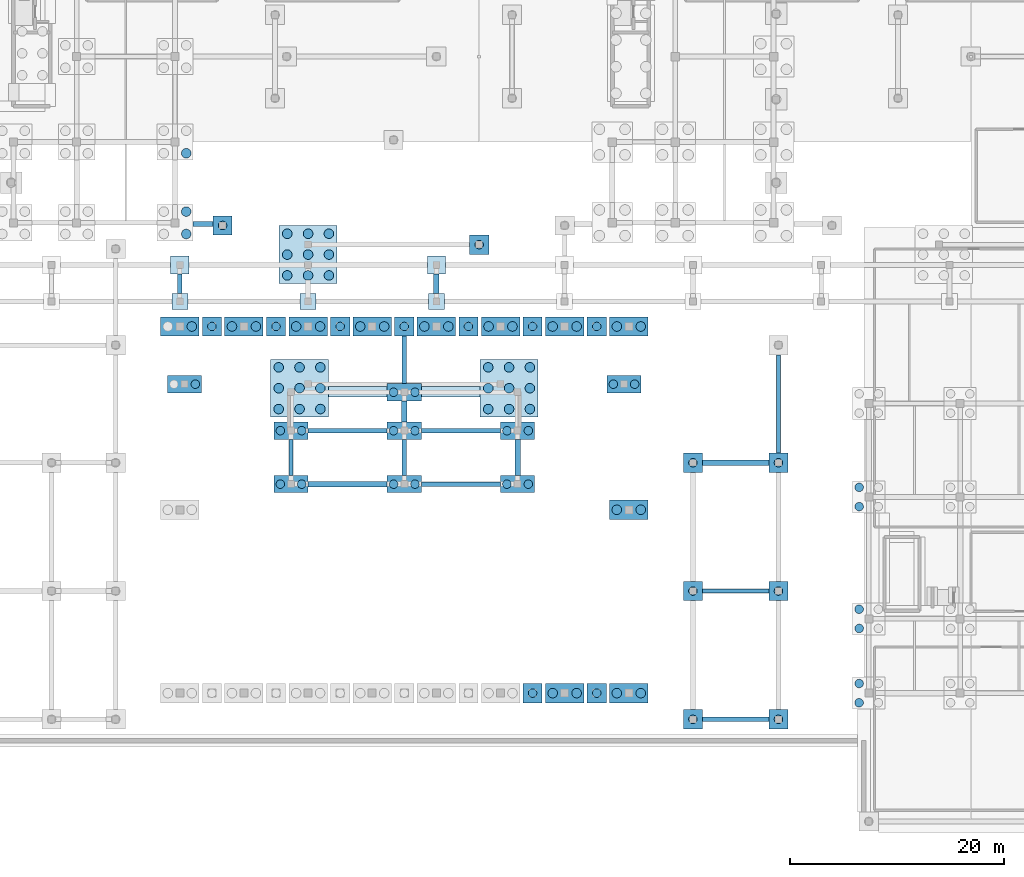
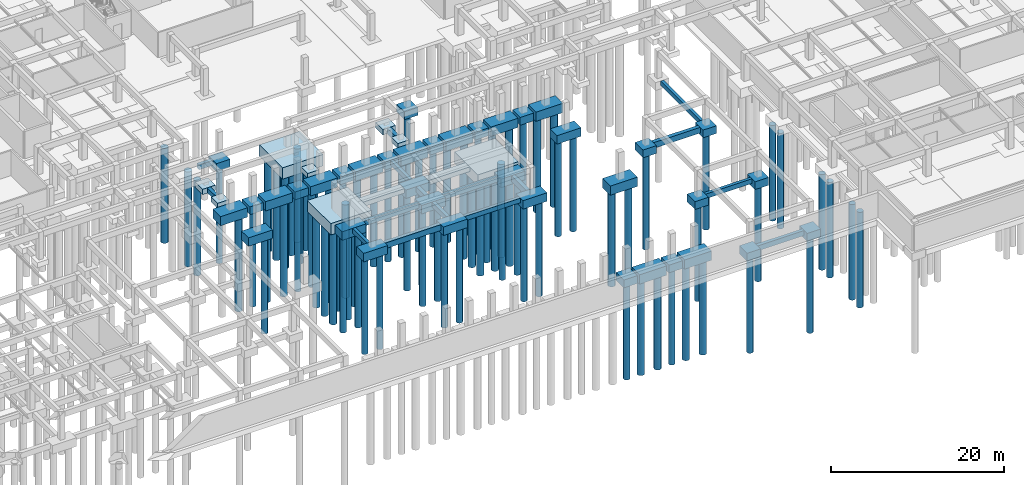
# One storey, part 3 of 35: 91 piles, 63 footings.
"""IFC4 building model written with IfcOpenShell, lengths in metres."""

from ifc_helpers import new_model, si_unit, direction, frame, origin, origin_2d, place, context, subcontext, project, spatial, rectangle, circle, extrude, material, material_profile, profile_set, type_object, element, save


model = new_model("IFC4")

# Units and contexts
model_context = context("Model", 3, precision=1e-05, world=origin(), true_north=direction((0.0, 1.0)))
body_context = subcontext(model_context, "Body", "Model", "MODEL_VIEW")
ifc_project = project(units=[si_unit("LENGTHUNIT", "METRE"), si_unit("AREAUNIT", "SQUARE_METRE"), si_unit("VOLUMEUNIT", "CUBIC_METRE"), si_unit("PLANEANGLEUNIT", "RADIAN"), si_unit("MASSUNIT", "GRAM", prefix="KILO")], contexts=[model_context])

# Site, building, storey
site_placement = place(None, origin())
site = spatial("IfcSite", under=ifc_project, at=site_placement, CompositionType="ELEMENT")
building_placement = place(site_placement, origin())
building = spatial("IfcBuilding", under=site, at=building_placement, Name="Keldmere Railside Commons", CompositionType="ELEMENT")
storey_placement = place(building_placement, frame((0.0, 0.0, -3.840087890625)))
storey = spatial("IfcBuildingStorey", under=building, at=storey_placement, Name="B1", CompositionType="ELEMENT", Elevation=-3.840087890625)

# Piles
ifc_material_1 = material(Name="Concrete H-30 (C30/37)", Category="concrete")
ifc_material_profile_1 = material_profile(ifc_material_1, circle(Radius=0.39990234375, at=origin_2d()), Name="PILE-D800")
ifc_profile_set_1 = profile_set([ifc_material_profile_1], Name="Concrete H-30 (C30/37)")
pile_type_1 = type_object("IfcPileType", Name="Bored Concrete Pile D800", PredefinedType="BORED", material=ifc_profile_set_1)
pile_1_placement = place(storey_placement, frame((65.449951171875, 41.35009765625, -1.099853515625), z_axis=(0.0, 0.0, -1.0), x_axis=(1.0, 0.0, 0.0)))
element("IfcPile", 1, at=pile_1_placement, inside=storey, type_object=pile_type_1, Name="BP-800 PILE-0327", PredefinedType="BORED", context=body_context, shape_type="SweptSolid", body=[
    extrude(circle(Radius=0.39990234375, at=origin_2d()), origin(), (0.0, 0.0, 1.0), 13.56005859375),
])
for number, where, z_axis, x_axis, name in (
    (2, (67.0, 46.75, -1.0), (0.0, 0.0, -1.0), (1.0, 0.0, 0.0), "BP-800 PILE-0341"),
    (3, (68.0, 56.199951171875, -1.0), (0.0, 0.0, -1.0), (1.0, 0.0, 0.0), "BP-800 PILE-0342"),
    (4, (73.0, 46.75, -1.0), (0.0, 0.0, -1.0), (1.0, 0.0, 0.0), "BP-800 PILE-0362"),
):
    element("IfcPile", number, at=place(storey_placement, frame(where, z_axis=z_axis, x_axis=x_axis)), inside=storey, type_object=pile_type_1, Name=name, PredefinedType="BORED", context=body_context, shape_type="SweptSolid", body=[
        extrude(circle(Radius=0.39990234375, at=origin_2d()), origin(), (0.0, 0.0, 1.0), 13.659912109375),
    ])
for number, where, z_axis, x_axis, name in (
    (5, (73.39990234375, 32.0, -1.099853515625), (0.0, 0.0, -1.0), (1.0, 0.0, 0.0), "BP-800 PILE-0364"),
    (6, (75.39990234375, 32.0, -1.099853515625), (0.0, 0.0, -1.0), (1.0, 0.0, 0.0), "BP-800 PILE-0365"),
    (7, (73.39990234375, 37.0, -1.099853515625), (0.0, 0.0, -1.0), (1.0, 0.0, 0.0), "BP-800 PILE-0366"),
    (8, (75.39990234375, 37.0, -1.099853515625), (0.0, 0.0, -1.0), (1.0, 0.0, 0.0), "BP-800 PILE-0367"),
):
    element("IfcPile", number, at=place(storey_placement, frame(where, z_axis=z_axis, x_axis=x_axis)), inside=storey, type_object=pile_type_1, Name=name, PredefinedType="BORED", context=body_context, shape_type="SweptSolid", body=[
        extrude(circle(Radius=0.39990234375, at=origin_2d()), origin(), (0.0, 0.0, 1.0), 13.56005859375),
    ])
pile_2_placement = place(storey_placement, frame((79.0, 46.75, -1.0), z_axis=(0.0, 0.0, -1.0), x_axis=(1.0, 0.0, 0.0)))
element("IfcPile", 9, at=pile_2_placement, inside=storey, type_object=pile_type_1, Name="BP-800 PILE-0391", PredefinedType="BORED", context=body_context, shape_type="SweptSolid", body=[
    extrude(circle(Radius=0.39990234375, at=origin_2d()), origin(), (0.0, 0.0, 1.0), 13.659912109375),
])
for number, where, z_axis, x_axis, name in (
    (10, (84.0, 32.0, -1.099853515625), (0.0, 0.0, -1.0), (1.0, 0.0, 0.0), "BP-800 PILE-0407"),
    (11, (86.0, 32.0, -1.099853515625), (0.0, 0.0, -1.0), (1.0, 0.0, 0.0), "BP-800 PILE-0408"),
    (12, (84.0, 37.0, -1.099853515625), (0.0, 0.0, -1.0), (1.0, 0.0, 0.0), "BP-800 PILE-0409"),
    (13, (86.0, 37.0, -1.099853515625), (0.0, 0.0, -1.0), (1.0, 0.0, 0.0), "BP-800 PILE-0410"),
    (14, (84.0, 40.60009765625, -1.099853515625), (0.0, 0.0, -1.0), (1.0, 0.0, 0.0), "BP-800 PILE-0411"),
    (15, (86.0, 40.60009765625, -1.099853515625), (0.0, 0.0, -1.0), (1.0, 0.0, 0.0), "BP-800 PILE-0412"),
):
    element("IfcPile", number, at=place(storey_placement, frame(where, z_axis=z_axis, x_axis=x_axis)), inside=storey, type_object=pile_type_1, Name=name, PredefinedType="BORED", context=body_context, shape_type="SweptSolid", body=[
        extrude(circle(Radius=0.39990234375, at=origin_2d()), origin(), (0.0, 0.0, 1.0), 13.56005859375),
    ])
for number, where, z_axis, x_axis, name in (
    (16, (85.0, 46.75, -1.0), (0.0, 0.0, -1.0), (1.0, 0.0, 0.0), "BP-800 PILE-0413"),
    (17, (91.0, 46.75, -1.0), (0.0, 0.0, -1.0), (1.0, 0.0, 0.0), "BP-800 PILE-0423"),
    (18, (92.0, 54.39990234375, -1.0), (0.0, 0.0, -1.0), (1.0, 0.0, 0.0), "BP-800 PILE-0424"),
):
    element("IfcPile", number, at=place(storey_placement, frame(where, z_axis=z_axis, x_axis=x_axis)), inside=storey, type_object=pile_type_1, Name=name, PredefinedType="BORED", context=body_context, shape_type="SweptSolid", body=[
        extrude(circle(Radius=0.39990234375, at=origin_2d()), origin(), (0.0, 0.0, 1.0), 13.659912109375),
    ])
for number, where, z_axis, x_axis, name in (
    (19, (94.60009765625, 32.0, -1.099853515625), (0.0, 0.0, -1.0), (1.0, 0.0, 0.0), "BP-800 PILE-0452"),
    (20, (96.60009765625, 32.0, -1.099853515625), (0.0, 0.0, -1.0), (1.0, 0.0, 0.0), "BP-800 PILE-0453"),
    (21, (94.60009765625, 37.0, -1.099853515625), (0.0, 0.0, -1.0), (1.0, 0.0, 0.0), "BP-800 PILE-0454"),
    (22, (96.60009765625, 37.0, -1.099853515625), (0.0, 0.0, -1.0), (1.0, 0.0, 0.0), "BP-800 PILE-0455"),
):
    element("IfcPile", number, at=place(storey_placement, frame(where, z_axis=z_axis, x_axis=x_axis)), inside=storey, type_object=pile_type_1, Name=name, PredefinedType="BORED", context=body_context, shape_type="SweptSolid", body=[
        extrude(circle(Radius=0.39990234375, at=origin_2d()), origin(), (0.0, 0.0, 1.0), 13.56005859375),
    ])
for number, where, z_axis, x_axis, name in (
    (23, (97.0, 12.449951171875, -1.0), (0.0, 0.0, -1.0), (1.0, 0.0, 0.0), "BP-800 PILE-0456"),
    (24, (97.0, 46.75, -1.0), (0.0, 0.0, -1.0), (1.0, 0.0, 0.0), "BP-800 PILE-0457"),
    (25, (103.0, 12.449951171875, -1.0), (0.0, 0.0, -1.0), (1.0, 0.0, 0.0), "BP-800 PILE-0475"),
    (26, (103.0, 46.75, -1.0), (0.0, 0.0, -1.0), (1.0, 0.0, 0.0), "BP-800 PILE-0476"),
):
    element("IfcPile", number, at=place(storey_placement, frame(where, z_axis=z_axis, x_axis=x_axis)), inside=storey, type_object=pile_type_1, Name=name, PredefinedType="BORED", context=body_context, shape_type="SweptSolid", body=[
        extrude(circle(Radius=0.39990234375, at=origin_2d()), origin(), (0.0, 0.0, 1.0), 13.659912109375),
    ])
for number, where, z_axis, x_axis, name in (
    (27, (104.550048828125, 41.35009765625, -1.099853515625), (0.0, 0.0, -1.0), (1.0, 0.0, 0.0), "BP-800 PILE-0493"),
    (28, (106.550048828125, 41.35009765625, -1.099853515625), (0.0, 0.0, -1.0), (1.0, 0.0, 0.0), "BP-800 PILE-0494"),
):
    element("IfcPile", number, at=place(storey_placement, frame(where, z_axis=z_axis, x_axis=x_axis)), inside=storey, type_object=pile_type_1, Name=name, PredefinedType="BORED", context=body_context, shape_type="SweptSolid", body=[
        extrude(circle(Radius=0.39990234375, at=origin_2d()), origin(), (0.0, 0.0, 1.0), 13.56005859375),
    ])
for number, where, z_axis, x_axis, name in (
    (29, (112.0, 10.0, -1.0), (0.0, 0.0, -1.0), (1.0, 0.0, 0.0), "BP-800 PILE-0529"),
    (30, (112.0, 22.0, -1.0), (0.0, 0.0, -1.0), (1.0, 0.0, 0.0), "BP-800 PILE-0530"),
    (31, (112.0, 34.0, -1.0), (0.0, 0.0, -1.0), (1.0, 0.0, 0.0), "BP-800 PILE-0531"),
    (32, (120.0, 10.0, -1.0), (0.0, 0.0, -1.0), (1.0, 0.0, 0.0), "BP-800 PILE-0573"),
    (33, (120.0, 22.0, -1.0), (0.0, 0.0, -1.0), (1.0, 0.0, 0.0), "BP-800 PILE-0574"),
    (34, (120.0, 34.0, -1.0), (0.0, 0.0, -1.0), (1.0, 0.0, 0.0), "BP-800 PILE-0575"),
):
    element("IfcPile", number, at=place(storey_placement, frame(where, z_axis=z_axis, x_axis=x_axis)), inside=storey, type_object=pile_type_1, Name=name, PredefinedType="BORED", context=body_context, shape_type="SweptSolid", body=[
        extrude(circle(Radius=0.39990234375, at=origin_2d()), origin(), (0.0, 0.0, 1.0), 13.659912109375),
    ])
for number, where, z_axis, x_axis, name in (
    (35, (127.550048828125, 11.550048828125, -1.199951171875), (0.0, 0.0, -1.0), (1.0, 0.0, 0.0), "BP-800 PILE-0591"),
    (36, (127.550048828125, 13.35009765625, -1.199951171875), (0.0, 0.0, -1.0), (1.0, 0.0, 0.0), "BP-800 PILE-0594"),
    (37, (127.550048828125, 18.5, -1.199951171875), (0.0, 0.0, -1.0), (1.0, 0.0, 0.0), "BP-800 PILE-0595"),
    (38, (127.550048828125, 20.300048828125, -1.199951171875), (0.0, 0.0, -1.0), (1.0, 0.0, 0.0), "BP-800 PILE-0598"),
    (39, (127.550048828125, 29.89990234375, -1.199951171875), (0.0, 0.0, -1.0), (1.0, 0.0, 0.0), "BP-800 PILE-0599"),
    (40, (127.550048828125, 31.699951171875, -1.199951171875), (0.0, 0.0, -1.0), (1.0, 0.0, 0.0), "BP-800 PILE-0602"),
):
    element("IfcPile", number, at=place(storey_placement, frame(where, z_axis=z_axis, x_axis=x_axis)), inside=storey, type_object=pile_type_1, Name=name, PredefinedType="BORED", context=body_context, shape_type="SweptSolid", body=[
        extrude(circle(Radius=0.39990234375, at=origin_2d()), origin(), (0.0, 0.0, 1.0), 13.4599609375),
    ])
ifc_material_profile_2 = material_profile(ifc_material_1, circle(Radius=0.449951171875, at=origin_2d()), Name="PILE-D900")
ifc_profile_set_2 = profile_set([ifc_material_profile_2], Name="Concrete H-30 (C30/37)")
pile_type_2 = type_object("IfcPileType", Name="Bored Concrete Pile D900", PredefinedType="BORED", material=ifc_profile_set_2)
for number, where, z_axis, x_axis, name in (
    (41, (64.60009765625, 55.39990234375, -1.2998046875), (0.0, 0.0, -1.0), (1.0, 0.0, 0.0), "BP-900 PILE-0297"),
    (42, (64.60009765625, 57.5, -1.2998046875), (0.0, 0.0, -1.0), (1.0, 0.0, 0.0), "BP-900 PILE-0298"),
    (43, (64.60009765625, 62.949951171875, -1.2998046875), (0.0, 0.0, -1.0), (1.0, 0.0, 0.0), "BP-900 PILE-0301"),
):
    element("IfcPile", number, at=place(storey_placement, frame(where, z_axis=z_axis, x_axis=x_axis)), inside=storey, type_object=pile_type_2, Name=name, PredefinedType="BORED", context=body_context, shape_type="SweptSolid", body=[
        extrude(circle(Radius=0.449951171875, at=origin_2d()), origin(), (0.0, 0.0, 1.0), 13.360107421875),
    ])
for number, where, z_axis, x_axis, name in (
    (44, (65.1201171875, 46.75, -1.199951171875), (0.0, 0.0, -1.0), (1.0, 0.0, 0.0), "BP-900 PILE-0325"),
    (45, (68.8798828125, 46.75, -1.199951171875), (0.0, 0.0, -1.0), (1.0, 0.0, 0.0), "BP-900 PILE-0345"),
    (46, (71.1201171875, 46.75, -1.199951171875), (0.0, 0.0, -1.0), (1.0, 0.0, 0.0), "BP-900 PILE-0346"),
):
    element("IfcPile", number, at=place(storey_placement, frame(where, z_axis=z_axis, x_axis=x_axis)), inside=storey, type_object=pile_type_2, Name=name, PredefinedType="BORED", context=body_context, shape_type="SweptSolid", body=[
        extrude(circle(Radius=0.449951171875, at=origin_2d()), origin(), (0.0, 0.0, 1.0), 13.4599609375),
    ])
for number, where, z_axis, x_axis, name in (
    (47, (73.25, 39.02490234375, -1.5), (0.0, 0.0, -1.0), (1.0, 0.0, 0.0), "BP-900 PILE-0368"),
    (48, (73.25, 40.97509765625, -1.5), (0.0, 0.0, -1.0), (1.0, 0.0, 0.0), "BP-900 PILE-0369"),
    (49, (73.25, 42.925048828125, -1.5), (0.0, 0.0, -1.0), (1.0, 0.0, 0.0), "BP-900 PILE-0370"),
    (50, (75.199951171875, 39.02490234375, -1.5), (0.0, 0.0, -1.0), (1.0, 0.0, 0.0), "BP-900 PILE-0371"),
    (51, (75.199951171875, 40.97509765625, -1.5), (0.0, 0.0, -1.0), (1.0, 0.0, 0.0), "BP-900 PILE-0372"),
    (52, (75.199951171875, 42.925048828125, -1.5), (0.0, 0.0, -1.0), (1.0, 0.0, 0.0), "BP-900 PILE-0373"),
    (53, (77.14990234375, 39.02490234375, -1.5), (0.0, 0.0, -1.0), (1.0, 0.0, 0.0), "BP-900 PILE-0374"),
    (54, (77.14990234375, 40.97509765625, -1.5), (0.0, 0.0, -1.0), (1.0, 0.0, 0.0), "BP-900 PILE-0375"),
    (55, (77.14990234375, 42.925048828125, -1.5), (0.0, 0.0, -1.0), (1.0, 0.0, 0.0), "BP-900 PILE-0376"),
):
    element("IfcPile", number, at=place(storey_placement, frame(where, z_axis=z_axis, x_axis=x_axis)), inside=storey, type_object=pile_type_2, Name=name, PredefinedType="BORED", context=body_context, shape_type="SweptSolid", body=[
        extrude(circle(Radius=0.449951171875, at=origin_2d()), origin(), (0.0, 0.0, 1.0), 13.159912109375),
    ])
for number, where, z_axis, x_axis, name in (
    (56, (74.8798828125, 46.75, -1.199951171875), (0.0, 0.0, -1.0), (1.0, 0.0, 0.0), "BP-900 PILE-0379"),
    (57, (77.1201171875, 46.75, -1.199951171875), (0.0, 0.0, -1.0), (1.0, 0.0, 0.0), "BP-900 PILE-0380"),
):
    element("IfcPile", number, at=place(storey_placement, frame(where, z_axis=z_axis, x_axis=x_axis)), inside=storey, type_object=pile_type_2, Name=name, PredefinedType="BORED", context=body_context, shape_type="SweptSolid", body=[
        extrude(circle(Radius=0.449951171875, at=origin_2d()), origin(), (0.0, 0.0, 1.0), 13.4599609375),
    ])
for number, where, z_axis, x_axis, name in (
    (58, (74.050048828125, 51.52490234375, -1.5), (0.0, 0.0, -1.0), (1.0, 0.0, 0.0), "BP-900 PILE-0381"),
    (59, (74.050048828125, 53.47509765625, -1.5), (0.0, 0.0, -1.0), (1.0, 0.0, 0.0), "BP-900 PILE-0382"),
    (60, (74.050048828125, 55.425048828125, -1.5), (0.0, 0.0, -1.0), (1.0, 0.0, 0.0), "BP-900 PILE-0383"),
    (61, (76.0, 51.52490234375, -1.5), (0.0, 0.0, -1.0), (1.0, 0.0, 0.0), "BP-900 PILE-0384"),
    (62, (76.0, 53.47509765625, -1.5), (0.0, 0.0, -1.0), (1.0, 0.0, 0.0), "BP-900 PILE-0385"),
    (63, (76.0, 55.425048828125, -1.5), (0.0, 0.0, -1.0), (1.0, 0.0, 0.0), "BP-900 PILE-0386"),
    (64, (77.949951171875, 51.52490234375, -1.5), (0.0, 0.0, -1.0), (1.0, 0.0, 0.0), "BP-900 PILE-0387"),
    (65, (77.949951171875, 53.47509765625, -1.5), (0.0, 0.0, -1.0), (1.0, 0.0, 0.0), "BP-900 PILE-0388"),
    (66, (77.949951171875, 55.425048828125, -1.5), (0.0, 0.0, -1.0), (1.0, 0.0, 0.0), "BP-900 PILE-0389"),
):
    element("IfcPile", number, at=place(storey_placement, frame(where, z_axis=z_axis, x_axis=x_axis)), inside=storey, type_object=pile_type_2, Name=name, PredefinedType="BORED", context=body_context, shape_type="SweptSolid", body=[
        extrude(circle(Radius=0.449951171875, at=origin_2d()), origin(), (0.0, 0.0, 1.0), 13.159912109375),
    ])
for number, where, z_axis, x_axis, name in (
    (67, (80.8798828125, 46.75, -1.199951171875), (0.0, 0.0, -1.0), (1.0, 0.0, 0.0), "BP-900 PILE-0402"),
    (68, (83.1201171875, 46.75, -1.199951171875), (0.0, 0.0, -1.0), (1.0, 0.0, 0.0), "BP-900 PILE-0403"),
    (69, (86.8798828125, 46.75, -1.199951171875), (0.0, 0.0, -1.0), (1.0, 0.0, 0.0), "BP-900 PILE-0416"),
    (70, (89.1201171875, 46.75, -1.199951171875), (0.0, 0.0, -1.0), (1.0, 0.0, 0.0), "BP-900 PILE-0417"),
):
    element("IfcPile", number, at=place(storey_placement, frame(where, z_axis=z_axis, x_axis=x_axis)), inside=storey, type_object=pile_type_2, Name=name, PredefinedType="BORED", context=body_context, shape_type="SweptSolid", body=[
        extrude(circle(Radius=0.449951171875, at=origin_2d()), origin(), (0.0, 0.0, 1.0), 13.4599609375),
    ])
for number, where, z_axis, x_axis, name in (
    (71, (92.85009765625, 39.02490234375, -1.5), (0.0, 0.0, -1.0), (1.0, 0.0, 0.0), "BP-900 PILE-0439"),
    (72, (92.85009765625, 40.97509765625, -1.5), (0.0, 0.0, -1.0), (1.0, 0.0, 0.0), "BP-900 PILE-0440"),
    (73, (92.85009765625, 42.925048828125, -1.5), (0.0, 0.0, -1.0), (1.0, 0.0, 0.0), "BP-900 PILE-0441"),
    (74, (94.800048828125, 39.02490234375, -1.5), (0.0, 0.0, -1.0), (1.0, 0.0, 0.0), "BP-900 PILE-0442"),
    (75, (94.800048828125, 40.97509765625, -1.5), (0.0, 0.0, -1.0), (1.0, 0.0, 0.0), "BP-900 PILE-0443"),
    (76, (94.800048828125, 42.925048828125, -1.5), (0.0, 0.0, -1.0), (1.0, 0.0, 0.0), "BP-900 PILE-0444"),
    (77, (96.75, 39.02490234375, -1.5), (0.0, 0.0, -1.0), (1.0, 0.0, 0.0), "BP-900 PILE-0445"),
    (78, (96.75, 40.97509765625, -1.5), (0.0, 0.0, -1.0), (1.0, 0.0, 0.0), "BP-900 PILE-0446"),
    (79, (96.75, 42.925048828125, -1.5), (0.0, 0.0, -1.0), (1.0, 0.0, 0.0), "BP-900 PILE-0447"),
):
    element("IfcPile", number, at=place(storey_placement, frame(where, z_axis=z_axis, x_axis=x_axis)), inside=storey, type_object=pile_type_2, Name=name, PredefinedType="BORED", context=body_context, shape_type="SweptSolid", body=[
        extrude(circle(Radius=0.449951171875, at=origin_2d()), origin(), (0.0, 0.0, 1.0), 13.159912109375),
    ])
for number, where, z_axis, x_axis, name in (
    (80, (92.8798828125, 46.75, -1.199951171875), (0.0, 0.0, -1.0), (1.0, 0.0, 0.0), "BP-900 PILE-0448"),
    (81, (95.1201171875, 46.75, -1.199951171875), (0.0, 0.0, -1.0), (1.0, 0.0, 0.0), "BP-900 PILE-0449"),
    (82, (98.8798828125, 12.449951171875, -1.199951171875), (0.0, 0.0, -1.0), (1.0, 0.0, 0.0), "BP-900 PILE-0458"),
    (83, (101.1201171875, 12.449951171875, -1.199951171875), (0.0, 0.0, -1.0), (1.0, 0.0, 0.0), "BP-900 PILE-0459"),
    (84, (98.8798828125, 46.75, -1.199951171875), (0.0, 0.0, -1.0), (1.0, 0.0, 0.0), "BP-900 PILE-0460"),
    (85, (101.1201171875, 46.75, -1.199951171875), (0.0, 0.0, -1.0), (1.0, 0.0, 0.0), "BP-900 PILE-0461"),
    (86, (104.8798828125, 12.449951171875, -1.199951171875), (0.0, 0.0, -1.0), (1.0, 0.0, 0.0), "BP-900 PILE-0495"),
    (87, (107.1201171875, 12.449951171875, -1.199951171875), (0.0, 0.0, -1.0), (1.0, 0.0, 0.0), "BP-900 PILE-0496"),
    (88, (104.8798828125, 29.60009765625, -1.199951171875), (0.0, 0.0, -1.0), (1.0, 0.0, 0.0), "BP-900 PILE-0497"),
    (89, (107.1201171875, 29.60009765625, -1.199951171875), (0.0, 0.0, -1.0), (1.0, 0.0, 0.0), "BP-900 PILE-0498"),
    (90, (104.8798828125, 46.75, -1.199951171875), (0.0, 0.0, -1.0), (1.0, 0.0, 0.0), "BP-900 PILE-0499"),
    (91, (107.1201171875, 46.75, -1.199951171875), (0.0, 0.0, -1.0), (1.0, 0.0, 0.0), "BP-900 PILE-0500"),
):
    element("IfcPile", number, at=place(storey_placement, frame(where, z_axis=z_axis, x_axis=x_axis)), inside=storey, type_object=pile_type_2, Name=name, PredefinedType="BORED", context=body_context, shape_type="SweptSolid", body=[
        extrude(circle(Radius=0.449951171875, at=origin_2d()), origin(), (0.0, 0.0, 1.0), 13.4599609375),
    ])

# Footings
ifc_material_2 = material(Name="Concrete H-40 (C40/50)", Category="concrete")
footing_type_1 = type_object("IfcFootingType", Name="Canopy Pad Footing 1700x1700x750", PredefinedType="PAD_FOOTING", material=ifc_material_2)
for number, where, z_axis, x_axis, name in (
    (92, (64.0, 52.5, -0.75), (0.0, 0.0, 1.0), (1.0, 0.0, 0.0), "PF-02 FTG-132"),
    (93, (88.0, 52.5, -0.75), (0.0, 0.0, 1.0), (1.0, 0.0, 0.0), "PF-02 FTG-173"),
):
    element("IfcFooting", number, at=place(storey_placement, frame(where, z_axis=z_axis, x_axis=x_axis)), inside=storey, type_object=footing_type_1, Name=name, PredefinedType="PAD_FOOTING", context=body_context, shape_type="SweptSolid", body=[
        extrude(rectangle(XDim=1.699951171875, YDim=1.699951171875, at=origin_2d()), origin(), (0.0, 0.0, 1.0), 0.75),
    ])
footing_type_2 = type_object("IfcFootingType", Name="Colonnade Pad Footing 1500x1500x700", PredefinedType="PAD_FOOTING", material=ifc_material_2)
for number, where, z_axis, x_axis, name in (
    (94, (64.0, 49.10009765625, -0.69970703125), (0.0, 0.0, 1.0), (1.0, 0.0, 0.0), "PF-01 FTG-131"),
    (95, (76.0, 49.10009765625, -0.69970703125), (0.0, 0.0, 1.0), (1.0, 0.0, 0.0), "PF-01 FTG-155"),
    (96, (88.0, 49.10009765625, -0.69970703125), (0.0, 0.0, 1.0), (1.0, 0.0, 0.0), "PF-01 FTG-172"),
):
    element("IfcFooting", number, at=place(storey_placement, frame(where, z_axis=z_axis, x_axis=x_axis)), inside=storey, type_object=footing_type_2, Name=name, PredefinedType="PAD_FOOTING", context=body_context, shape_type="SweptSolid", body=[
        extrude(rectangle(XDim=1.5, YDim=1.5, at=origin_2d()), origin(), (0.0, 0.0, 1.0), 0.699951171875),
    ])
footing_type_3 = type_object("IfcFootingType", Name="Nine-Pile Core Cap 5400x5400x1600", PredefinedType="PILE_CAP", material=ifc_material_2)
for number, where, z_axis, x_axis, name in (
    (97, (75.199951171875, 40.97509765625, -1.599853515625), (0.0, 0.0, 1.0), (1.0, 0.0, 0.0), "PC-08 FTG-152"),
    (98, (76.0, 53.47509765625, -1.599853515625), (0.0, 0.0, 1.0), (1.0, 0.0, 0.0), "PC-08 FTG-156"),
    (99, (94.800048828125, 40.97509765625, -1.599853515625), (0.0, 0.0, 1.0), (1.0, 0.0, 0.0), "PC-08 FTG-185"),
):
    element("IfcFooting", number, at=place(storey_placement, frame(where, z_axis=z_axis, x_axis=x_axis)), inside=storey, type_object=footing_type_3, Name=name, PredefinedType="PILE_CAP", context=body_context, shape_type="SweptSolid", body=[
        extrude(rectangle(XDim=5.39990234375, YDim=5.39990234375, at=origin_2d()), origin(), (0.0, 0.0, 1.0), 1.60009765625),
    ])
footing_type_4 = type_object("IfcFootingType", Name="Perimeter Ground Tie Beam 400x650", PredefinedType="FOOTING_BEAM", material=ifc_material_2)
footing_1_placement = place(storey_placement, frame((74.39990234375, 34.5, -0.64990234375), z_axis=(0.0, 0.0, 1.0), x_axis=(0.0, 1.0, 0.0)))
element("IfcFooting", 100, at=footing_1_placement, inside=storey, type_object=footing_type_4, Name="GB-03 GB-137", PredefinedType="FOOTING_BEAM", context=body_context, shape_type="SweptSolid", body=[
    extrude(rectangle(XDim=3.39990234375, YDim=0.39990234375, at=origin_2d()), origin(), (0.0, 0.0, 1.0), 0.64990234375),
])
footing_2_placement = place(storey_placement, frame((90.300048828125, 32.0, -0.64990234375), z_axis=(0.0, 0.0, 1.0), x_axis=(1.0, 0.0, 0.0)))
element("IfcFooting", 101, at=footing_2_placement, inside=storey, type_object=footing_type_4, Name="GB-03 GB-143", PredefinedType="FOOTING_BEAM", context=body_context, shape_type="SweptSolid", body=[
    extrude(rectangle(XDim=7.39990234375, YDim=0.39990234375, at=origin_2d()), origin(), (0.0, 0.0, 1.0), 0.64990234375),
])
footing_3_placement = place(storey_placement, frame((85.0, 43.625, -0.64990234375), z_axis=(0.0, 0.0, 1.0), x_axis=(0.0, 1.0, 0.0)))
element("IfcFooting", 102, at=footing_3_placement, inside=storey, type_object=footing_type_4, Name="GB-03 GB-146", PredefinedType="FOOTING_BEAM", context=body_context, shape_type="SweptSolid", body=[
    extrude(rectangle(XDim=4.449951171875, YDim=0.39990234375, at=origin_2d()), origin(), (0.0, 0.0, 1.0), 0.64990234375),
])
footing_4_placement = place(storey_placement, frame((116.0, 22.0, -0.64990234375), z_axis=(0.0, 0.0, 1.0), x_axis=(1.0, 0.0, 0.0)))
element("IfcFooting", 103, at=footing_4_placement, inside=storey, type_object=footing_type_4, Name="GB-03 GB-182", PredefinedType="FOOTING_BEAM", context=body_context, shape_type="SweptSolid", body=[
    extrude(rectangle(XDim=6.199951171875, YDim=0.39990234375, at=origin_2d()), origin(), (0.0, 0.0, 1.0), 0.64990234375),
])
footing_5_placement = place(storey_placement, frame((120.0, 39.5, -0.64990234375), z_axis=(0.0, 0.0, 1.0), x_axis=(0.0, 1.0, 0.0)))
element("IfcFooting", 104, at=footing_5_placement, inside=storey, type_object=footing_type_4, Name="GB-03 GB-191", PredefinedType="FOOTING_BEAM", context=body_context, shape_type="SweptSolid", body=[
    extrude(rectangle(XDim=9.199951171875, YDim=0.39990234375, at=origin_2d()), origin(), (0.0, 0.0, 1.0), 0.64990234375),
])
footing_type_5 = type_object("IfcFootingType", Name="Primary Ground Tie Beam 500x800", PredefinedType="FOOTING_BEAM", material=ifc_material_2)
footing_6_placement = place(storey_placement, frame((79.699951171875, 32.0, -0.7998046875), z_axis=(0.0, 0.0, 1.0), x_axis=(1.0, 0.0, 0.0)))
element("IfcFooting", 105, at=footing_6_placement, inside=storey, type_object=footing_type_5, Name="GB-01 GB-138", PredefinedType="FOOTING_BEAM", context=body_context, shape_type="SweptSolid", body=[
    extrude(rectangle(XDim=7.39990234375, YDim=0.5, at=origin_2d()), origin(), (0.0, 0.0, 1.0), 0.800048828125),
])
footing_7_placement = place(storey_placement, frame((85.0, 38.800048828125, -0.7998046875), z_axis=(0.0, 0.0, 1.0), x_axis=(0.0, 1.0, 0.0)))
element("IfcFooting", 106, at=footing_7_placement, inside=storey, type_object=footing_type_5, Name="GB-01 GB-144", PredefinedType="FOOTING_BEAM", context=body_context, shape_type="SweptSolid", body=[
    extrude(rectangle(XDim=2.0, YDim=0.5, at=origin_2d()), origin(), (0.0, 0.0, 1.0), 0.800048828125),
])
footing_8_placement = place(storey_placement, frame((88.0, 50.75, -0.7998046875), z_axis=(0.0, 0.0, 1.0), x_axis=(0.0, 1.0, 0.0)))
element("IfcFooting", 107, at=footing_8_placement, inside=storey, type_object=footing_type_5, Name="GB-01 GB-147", PredefinedType="FOOTING_BEAM", context=body_context, shape_type="SweptSolid", body=[
    extrude(rectangle(XDim=1.800048828125, YDim=0.5, at=origin_2d()), origin(), (0.0, 0.0, 1.0), 0.800048828125),
])
footing_9_placement = place(storey_placement, frame((95.60009765625, 34.5, -0.7998046875), z_axis=(0.0, 0.0, 1.0), x_axis=(0.0, 1.0, 0.0)))
element("IfcFooting", 108, at=footing_9_placement, inside=storey, type_object=footing_type_5, Name="GB-01 GB-156", PredefinedType="FOOTING_BEAM", context=body_context, shape_type="SweptSolid", body=[
    extrude(rectangle(XDim=3.39990234375, YDim=0.5, at=origin_2d()), origin(), (0.0, 0.0, 1.0), 0.800048828125),
])
footing_10_placement = place(storey_placement, frame((116.0, 34.0, -0.7998046875), z_axis=(0.0, 0.0, 1.0), x_axis=(1.0, 0.0, 0.0)))
element("IfcFooting", 109, at=footing_10_placement, inside=storey, type_object=footing_type_5, Name="GB-01 GB-183", PredefinedType="FOOTING_BEAM", context=body_context, shape_type="SweptSolid", body=[
    extrude(rectangle(XDim=6.199951171875, YDim=0.5, at=origin_2d()), origin(), (0.0, 0.0, 1.0), 0.800048828125),
])
footing_type_6 = type_object("IfcFootingType", Name="Ramp Wall Strip Footing 1000x650", PredefinedType="STRIP_FOOTING", material=ifc_material_2)
for number, where, z_axis, x_axis, name in (
    (110, (80.64990234375, 40.64990234375, -0.64990234375), (0.0, 0.0, 1.0), (1.0, 0.0, 0.0), "SF-02 WSF-113"),
    (111, (89.35009765625, 40.64990234375, -0.64990234375), (0.0, 0.0, 1.0), (1.0, 0.0, 0.0), "SF-02 WSF-114"),
):
    element("IfcFooting", number, at=place(storey_placement, frame(where, z_axis=z_axis, x_axis=x_axis)), inside=storey, type_object=footing_type_6, Name=name, PredefinedType="STRIP_FOOTING", context=body_context, shape_type="SweptSolid", body=[
        extrude(rectangle(XDim=5.5, YDim=1.0, at=origin_2d()), origin(), (0.0, 0.0, 1.0), 0.64990234375),
    ])
footing_type_7 = type_object("IfcFootingType", Name="Secondary Ground Tie Beam 450x700", PredefinedType="FOOTING_BEAM", material=ifc_material_2)
footing_11_placement = place(storey_placement, frame((66.175048828125, 56.324951171875, -0.69970703125), z_axis=(0.0, 0.0, 1.0), x_axis=(1.0, 0.0, 0.0)))
element("IfcFooting", 112, at=footing_11_placement, inside=storey, type_object=footing_type_7, Name="GB-02 GB-121", PredefinedType="FOOTING_BEAM", context=body_context, shape_type="SweptSolid", body=[
    extrude(rectangle(XDim=1.85009765625, YDim=0.449951171875, at=origin_2d()), origin(), (0.0, 0.0, 1.0), 0.699951171875),
])
footing_12_placement = place(storey_placement, frame((64.0, 50.75, -0.69970703125), z_axis=(0.0, 0.0, 1.0), x_axis=(0.0, 1.0, 0.0)))
element("IfcFooting", 113, at=footing_12_placement, inside=storey, type_object=footing_type_7, Name="GB-02 GB-127", PredefinedType="FOOTING_BEAM", context=body_context, shape_type="SweptSolid", body=[
    extrude(rectangle(XDim=1.800048828125, YDim=0.449951171875, at=origin_2d()), origin(), (0.0, 0.0, 1.0), 0.699951171875),
])
footing_13_placement = place(storey_placement, frame((79.699951171875, 37.0, -0.69970703125), z_axis=(0.0, 0.0, 1.0), x_axis=(1.0, 0.0, 0.0)))
element("IfcFooting", 114, at=footing_13_placement, inside=storey, type_object=footing_type_7, Name="GB-02 GB-139", PredefinedType="FOOTING_BEAM", context=body_context, shape_type="SweptSolid", body=[
    extrude(rectangle(XDim=7.39990234375, YDim=0.449951171875, at=origin_2d()), origin(), (0.0, 0.0, 1.0), 0.699951171875),
])
footing_14_placement = place(storey_placement, frame((85.0, 34.5, -0.69970703125), z_axis=(0.0, 0.0, 1.0), x_axis=(0.0, 1.0, 0.0)))
element("IfcFooting", 115, at=footing_14_placement, inside=storey, type_object=footing_type_7, Name="GB-02 GB-142", PredefinedType="FOOTING_BEAM", context=body_context, shape_type="SweptSolid", body=[
    extrude(rectangle(XDim=3.39990234375, YDim=0.449951171875, at=origin_2d()), origin(), (0.0, 0.0, 1.0), 0.699951171875),
])
footing_15_placement = place(storey_placement, frame((90.300048828125, 37.0, -0.69970703125), z_axis=(0.0, 0.0, 1.0), x_axis=(1.0, 0.0, 0.0)))
element("IfcFooting", 116, at=footing_15_placement, inside=storey, type_object=footing_type_7, Name="GB-02 GB-145", PredefinedType="FOOTING_BEAM", context=body_context, shape_type="SweptSolid", body=[
    extrude(rectangle(XDim=7.39990234375, YDim=0.449951171875, at=origin_2d()), origin(), (0.0, 0.0, 1.0), 0.699951171875),
])
footing_16_placement = place(storey_placement, frame((116.0, 10.0, -0.69970703125), z_axis=(0.0, 0.0, 1.0), x_axis=(1.0, 0.0, 0.0)))
element("IfcFooting", 117, at=footing_16_placement, inside=storey, type_object=footing_type_7, Name="GB-02 GB-181", PredefinedType="FOOTING_BEAM", context=body_context, shape_type="SweptSolid", body=[
    extrude(rectangle(XDim=6.199951171875, YDim=0.449951171875, at=origin_2d()), origin(), (0.0, 0.0, 1.0), 0.699951171875),
])
footing_type_8 = type_object("IfcFootingType", Name="Single-Pile Cap 1800x1800x1100", PredefinedType="PILE_CAP", material=ifc_material_2)
for number, where, z_axis, x_axis, name in (
    (118, (67.0, 46.75, -1.099853515625), (0.0, 0.0, 1.0), (1.0, 0.0, 0.0), "PC-01 FTG-138"),
    (119, (68.0, 56.199951171875, -1.099853515625), (0.0, 0.0, 1.0), (1.0, 0.0, 0.0), "PC-01 FTG-139"),
    (120, (73.0, 46.75, -1.099853515625), (0.0, 0.0, 1.0), (1.0, 0.0, 0.0), "PC-01 FTG-148"),
    (121, (79.0, 46.75, -1.099853515625), (0.0, 0.0, 1.0), (1.0, 0.0, 0.0), "PC-01 FTG-158"),
    (122, (85.0, 46.75, -1.099853515625), (0.0, 0.0, 1.0), (1.0, 0.0, 0.0), "PC-01 FTG-169"),
    (123, (91.0, 46.75, -1.099853515625), (0.0, 0.0, 1.0), (1.0, 0.0, 0.0), "PC-01 FTG-179"),
    (124, (92.0, 54.39990234375, -1.099853515625), (0.0, 0.0, 1.0), (1.0, 0.0, 0.0), "PC-01 FTG-180"),
    (125, (97.0, 12.449951171875, -1.099853515625), (0.0, 0.0, 1.0), (1.0, 0.0, 0.0), "PC-01 FTG-191"),
    (126, (97.0, 46.75, -1.099853515625), (0.0, 0.0, 1.0), (1.0, 0.0, 0.0), "PC-01 FTG-192"),
    (127, (103.0, 12.449951171875, -1.099853515625), (0.0, 0.0, 1.0), (1.0, 0.0, 0.0), "PC-01 FTG-201"),
    (128, (103.0, 46.75, -1.099853515625), (0.0, 0.0, 1.0), (1.0, 0.0, 0.0), "PC-01 FTG-202"),
    (129, (112.0, 10.0, -1.099853515625), (0.0, 0.0, 1.0), (1.0, 0.0, 0.0), "PC-01 FTG-218"),
    (130, (112.0, 22.0, -1.099853515625), (0.0, 0.0, 1.0), (1.0, 0.0, 0.0), "PC-01 FTG-219"),
    (131, (112.0, 34.0, -1.099853515625), (0.0, 0.0, 1.0), (1.0, 0.0, 0.0), "PC-01 FTG-220"),
    (132, (120.0, 10.0, -1.099853515625), (0.0, 0.0, 1.0), (1.0, 0.0, 0.0), "PC-01 FTG-237"),
    (133, (120.0, 22.0, -1.099853515625), (0.0, 0.0, 1.0), (1.0, 0.0, 0.0), "PC-01 FTG-238"),
    (134, (120.0, 34.0, -1.099853515625), (0.0, 0.0, 1.0), (1.0, 0.0, 0.0), "PC-01 FTG-239"),
):
    element("IfcFooting", number, at=place(storey_placement, frame(where, z_axis=z_axis, x_axis=x_axis)), inside=storey, type_object=footing_type_8, Name=name, PredefinedType="PILE_CAP", context=body_context, shape_type="SweptSolid", body=[
        extrude(rectangle(XDim=1.800048828125, YDim=1.800048828125, at=origin_2d()), origin(), (0.0, 0.0, 1.0), 1.10009765625),
    ])
footing_type_9 = type_object("IfcFootingType", Name="Two-Pile Heavy Cap 3600x1800x1300", PredefinedType="PILE_CAP", material=ifc_material_2)
for number, where, z_axis, x_axis, name in (
    (135, (64.0, 46.75, -1.2998046875), (0.0, 0.0, 1.0), (1.0, 0.0, 0.0), "PC-10 FTG-130"),
    (136, (70.0, 46.75, -1.2998046875), (0.0, 0.0, 1.0), (1.0, 0.0, 0.0), "PC-10 FTG-141"),
    (137, (76.0, 46.75, -1.2998046875), (0.0, 0.0, 1.0), (1.0, 0.0, 0.0), "PC-10 FTG-154"),
    (138, (82.0, 46.75, -1.2998046875), (0.0, 0.0, 1.0), (1.0, 0.0, 0.0), "PC-10 FTG-162"),
    (139, (88.0, 46.75, -1.2998046875), (0.0, 0.0, 1.0), (1.0, 0.0, 0.0), "PC-10 FTG-171"),
    (140, (94.0, 46.75, -1.2998046875), (0.0, 0.0, 1.0), (1.0, 0.0, 0.0), "PC-10 FTG-186"),
    (141, (100.0, 12.449951171875, -1.2998046875), (0.0, 0.0, 1.0), (1.0, 0.0, 0.0), "PC-10 FTG-193"),
    (142, (100.0, 46.75, -1.2998046875), (0.0, 0.0, 1.0), (1.0, 0.0, 0.0), "PC-10 FTG-194"),
    (143, (106.0, 12.449951171875, -1.2998046875), (0.0, 0.0, 1.0), (1.0, 0.0, 0.0), "PC-10 FTG-208"),
    (144, (106.0, 29.60009765625, -1.2998046875), (0.0, 0.0, 1.0), (1.0, 0.0, 0.0), "PC-10 FTG-209"),
    (145, (106.0, 46.75, -1.2998046875), (0.0, 0.0, 1.0), (1.0, 0.0, 0.0), "PC-10 FTG-210"),
):
    element("IfcFooting", number, at=place(storey_placement, frame(where, z_axis=z_axis, x_axis=x_axis)), inside=storey, type_object=footing_type_9, Name=name, PredefinedType="PILE_CAP", context=body_context, shape_type="SweptSolid", body=[
        extrude(rectangle(XDim=3.60009765625, YDim=1.800048828125, at=origin_2d()), origin(), (0.0, 0.0, 1.0), 1.300048828125),
    ])
footing_type_10 = type_object("IfcFootingType", Name="Two-Pile Rectangular Cap 3200x1600x1200", PredefinedType="PILE_CAP", material=ifc_material_2)
for number, where, z_axis, x_axis, name in (
    (146, (64.449951171875, 41.35009765625, -1.19970703125), (0.0, 0.0, 1.0), (1.0, 0.0, 0.0), "PC-09 FTG-133"),
    (147, (74.39990234375, 32.0, -1.19970703125), (0.0, 0.0, 1.0), (1.0, 0.0, 0.0), "PC-09 FTG-150"),
    (148, (74.39990234375, 37.0, -1.19970703125), (0.0, 0.0, 1.0), (1.0, 0.0, 0.0), "PC-09 FTG-151"),
    (149, (85.0, 32.0, -1.19970703125), (0.0, 0.0, 1.0), (1.0, 0.0, 0.0), "PC-09 FTG-166"),
    (150, (85.0, 37.0, -1.19970703125), (0.0, 0.0, 1.0), (1.0, 0.0, 0.0), "PC-09 FTG-167"),
    (151, (85.0, 40.60009765625, -1.19970703125), (0.0, 0.0, 1.0), (1.0, 0.0, 0.0), "PC-09 FTG-168"),
    (152, (95.60009765625, 32.0, -1.19970703125), (0.0, 0.0, 1.0), (1.0, 0.0, 0.0), "PC-09 FTG-189"),
    (153, (95.60009765625, 37.0, -1.19970703125), (0.0, 0.0, 1.0), (1.0, 0.0, 0.0), "PC-09 FTG-190"),
    (154, (105.550048828125, 41.35009765625, -1.19970703125), (0.0, 0.0, 1.0), (1.0, 0.0, 0.0), "PC-09 FTG-207"),
):
    element("IfcFooting", number, at=place(storey_placement, frame(where, z_axis=z_axis, x_axis=x_axis)), inside=storey, type_object=footing_type_10, Name=name, PredefinedType="PILE_CAP", context=body_context, shape_type="SweptSolid", body=[
        extrude(rectangle(XDim=3.199951171875, YDim=1.60009765625, at=origin_2d()), origin(), (0.0, 0.0, 1.0), 1.199951171875),
    ])

save(model, "model.ifc")
